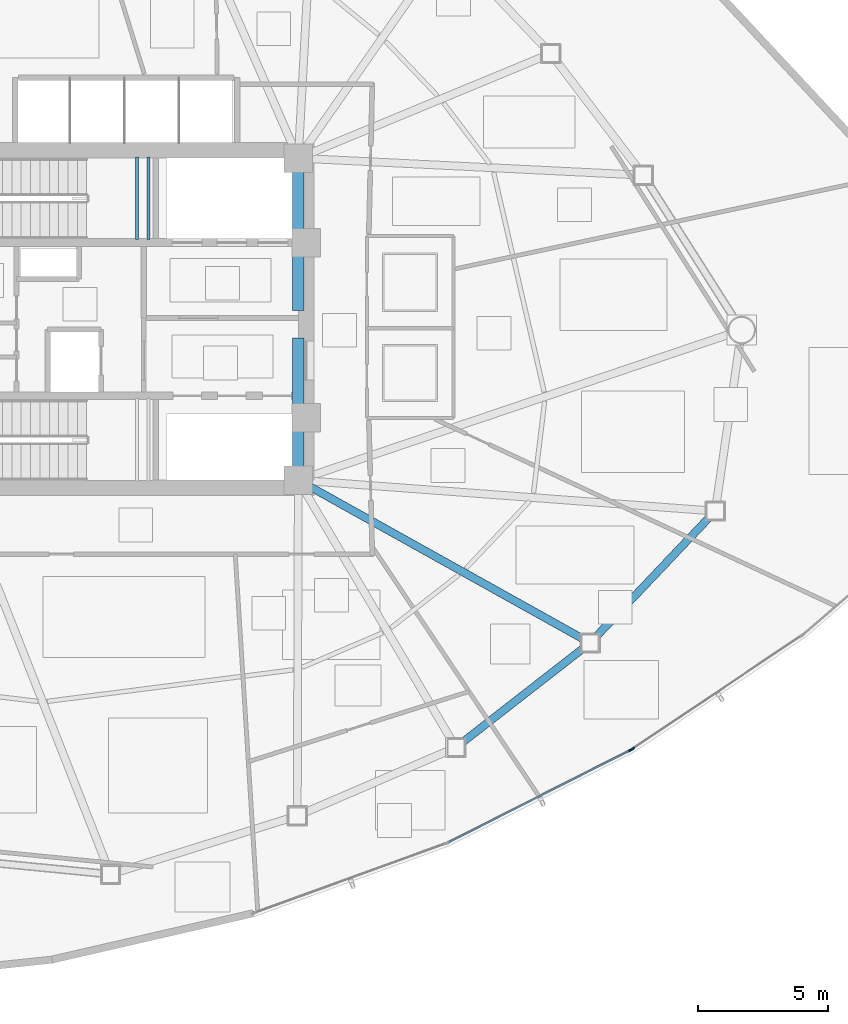
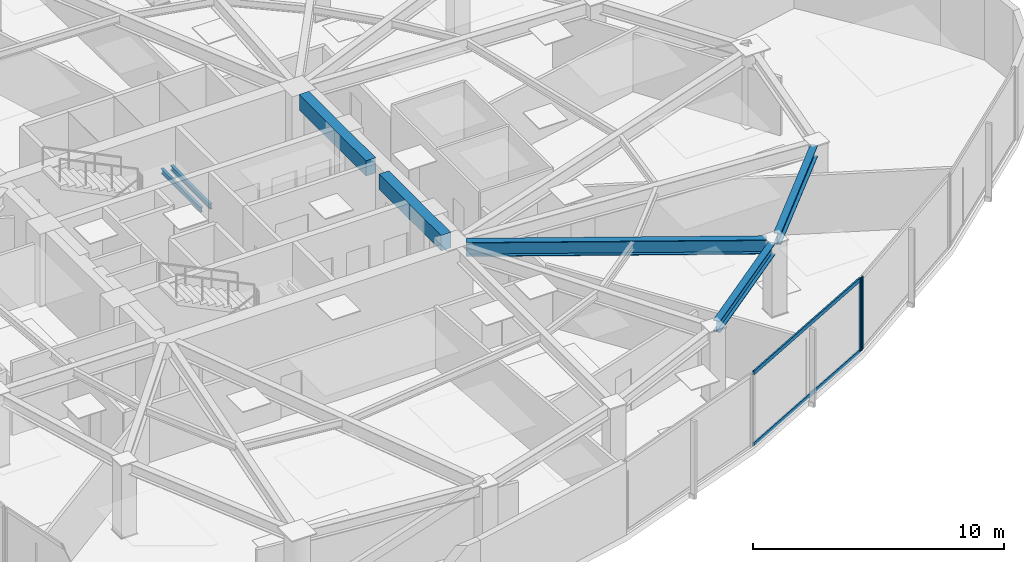
# One storey, part 5 of 17: 7 beams, 4 members, 2 elements without a shape of their own.
"""IFC4 building model written with IfcOpenShell, lengths in metres."""

from ifc_helpers import new_model, si_unit, direction, frame, origin, origin_2d, place, context, subcontext, project, spatial, rectangle, hollow_rectangle, i_section, extrude, source, transform, mapped, material, layer, layer_set, material_profile, profile_set, type_object, type_shapes, element, aggregate, save


model = new_model("IFC4")

# Units and contexts
model_context = context("Model", 3, precision=1e-05, world=origin(), true_north=direction((0.0, 1.0)))
body_context = subcontext(model_context, "Body", "Model", "MODEL_VIEW")
ifc_project = project(units=[si_unit("LENGTHUNIT", "METRE"), si_unit("AREAUNIT", "SQUARE_METRE"), si_unit("VOLUMEUNIT", "CUBIC_METRE"), si_unit("PLANEANGLEUNIT", "RADIAN"), si_unit("MASSUNIT", "GRAM", prefix="KILO")], contexts=[model_context])

# Site, building, storey
site_placement = place(None, origin())
site = spatial("IfcSite", under=ifc_project, at=site_placement, CompositionType="ELEMENT")
building_placement = place(site_placement, origin())
building = spatial("IfcBuilding", under=site, at=building_placement, Name="Tavelor Broadcast Tower", CompositionType="ELEMENT")
storey_placement = place(building_placement, frame((0.0, 0.0, 131.0)))
storey = spatial("IfcBuildingStorey", under=building, at=storey_placement, Name="L30", CompositionType="ELEMENT", Elevation=131.0)

# Beams
ifc_material_1 = material(Name="Concrete C40/50", Category="concrete")
ifc_material_profile_1 = material_profile(ifc_material_1, rectangle(XDim=0.449951171875, YDim=0.75, at=origin_2d()), Name="RC 450x750")
ifc_profile_set_1 = profile_set([ifc_material_profile_1], Name="Concrete C40/50")
beam_type_1 = type_object("IfcBeamType", Name="Basement Core Trim Beam 450x750", PredefinedType="BEAM", material=ifc_profile_set_1)
beam_1_placement = place(storey_placement, frame((56.60009765625, 45.327880859375, 3.175048828125), z_axis=(0.0, 1.0, 0.0), x_axis=(-1.0, 0.0, 0.0)))
element("IfcBeam", 1, at=beam_1_placement, inside=storey, type_object=beam_type_1, Name="L30 Core East-N Tie Girder", PredefinedType="BEAM", context=body_context, shape_type="SweptSolid", body=[
    extrude(rectangle(XDim=0.449951171875, YDim=0.75, at=origin_2d()), origin(), (0.0, 0.0, 1.0), 5.34423828125),
])
beam_2_placement = place(storey_placement, frame((56.60009765625, 39.327880859375, 3.175048828125), z_axis=(0.0, 1.0, 0.0), x_axis=(-1.0, 0.0, 0.0)))
element("IfcBeam", 2, at=beam_2_placement, inside=storey, type_object=beam_type_1, Name="L30 Core East-S Tie Girder", PredefinedType="BEAM", context=body_context, shape_type="SweptSolid", body=[
    extrude(rectangle(XDim=0.449951171875, YDim=0.75, at=origin_2d()), origin(), (0.0, 0.0, 1.0), 4.944091796875),
])
ifc_material_2 = material(Name="Steel S355", Category="steel")
ifc_material_profile_2 = material_profile(ifc_material_2, i_section(OverallWidth=0.300048828125, OverallDepth=0.550048828125, WebThickness=0.014892578125, FlangeThickness=0.029052734375, at=origin_2d()), Name="HEB 550")
ifc_profile_set_2 = profile_set([ifc_material_profile_2], Name="Steel S355")
beam_type_2 = type_object("IfcBeamType", Name="Perimeter Spandrel Beam T3 HEB 550", PredefinedType="SPANDREL", material=ifc_profile_set_2)
beam_3_placement = place(storey_placement, frame((62.934326171875, 28.709716796875, 3.27490234375), z_axis=(0.788970059341, 0.614431644257, 0.0), x_axis=(-0.614431644257, 0.788970059341, 0.0)))
element("IfcBeam", 3, at=beam_3_placement, inside=storey, type_object=beam_type_2, Name="L30 Framed-Tube Ring Spandrel 10", PredefinedType="SPANDREL", context=body_context, shape_type="SweptSolid", body=[
    extrude(i_section(OverallWidth=0.300048828125, OverallDepth=0.550048828125, WebThickness=0.014892578125, FlangeThickness=0.029052734375, at=origin_2d()), origin(), (0.0, 0.0, 1.0), 5.884765625),
])
beam_4_placement = place(storey_placement, frame((68.073486328125, 32.775390625, 3.27490234375), z_axis=(0.688378130541, 0.72535201757, 0.0), x_axis=(-0.72535201757, 0.688378130541, 0.0)))
element("IfcBeam", 4, at=beam_4_placement, inside=storey, type_object=beam_type_2, Name="L30 Framed-Tube Ring Spandrel 11", PredefinedType="SPANDREL", context=body_context, shape_type="SweptSolid", body=[
    extrude(i_section(OverallWidth=0.300048828125, OverallDepth=0.550048828125, WebThickness=0.014892578125, FlangeThickness=0.029052734375, at=origin_2d()), origin(), (0.0, 0.0, 1.0), 6.32568359375),
])
ifc_material_profile_3 = material_profile(ifc_material_2, i_section(OverallWidth=0.300048828125, OverallDepth=0.68994140625, WebThickness=0.014404296875, FlangeThickness=0.027099609375, at=origin_2d()), Name="HEA 700")
ifc_profile_set_3 = profile_set([ifc_material_profile_3], Name="Steel S355")
beam_type_3 = type_object("IfcBeamType", Name="Radial Floor Girder T3 HEA 700", PredefinedType="BEAM", material=ifc_profile_set_3)
beam_5_placement = place(storey_placement, frame((57.061279296875, 38.54296875, 3.205078125), z_axis=(0.873405286678, -0.486994050481, 0.0), x_axis=(0.486994050481, 0.873405286678, 0.0)))
element("IfcBeam", 5, at=beam_5_placement, inside=storey, type_object=beam_type_3, Name="L30 Radial Primary Floor Girder 11", PredefinedType="BEAM", context=body_context, shape_type="SweptSolid", body=[
    extrude(i_section(OverallWidth=0.300048828125, OverallDepth=0.68994140625, WebThickness=0.014404296875, FlangeThickness=0.027099609375, at=origin_2d()), origin(), (0.0, 0.0, 1.0), 12.007568359375),
])
ifc_material_profile_4 = material_profile(ifc_material_2, i_section(OverallWidth=0.1201171875, OverallDepth=0.239990234375, WebThickness=0.006103515625, FlangeThickness=0.009765625, at=origin_2d()), Name="IPE 240")
ifc_profile_set_4 = profile_set([ifc_material_profile_4], Name="Steel S355")
beam_type_4 = type_object("IfcBeamType", Name="Stairwell Landing Support Trimmer Beam IPE240", PredefinedType="BEAM", material=ifc_profile_set_4)
for number, where, z_axis, x_axis, name in (
    (6, (50.385009765625, 48.06005859375, 1.610107421875), (0.0, 1.0, 0.0), (-1.0, 0.0, 0.0), "L30 Stair Landing Support Beam 93"),
    (7, (50.824951171875, 48.06005859375, 1.610107421875), (0.0, 1.0, 0.0), (-1.0, 0.0, 0.0), "L30 Stair Landing Support Beam 94"),
):
    element("IfcBeam", number, at=place(storey_placement, frame(where, z_axis=z_axis, x_axis=x_axis)), inside=storey, type_object=beam_type_4, Name=name, PredefinedType="BEAM", context=body_context, shape_type="SweptSolid", body=[
        extrude(i_section(OverallWidth=0.1201171875, OverallDepth=0.239990234375, WebThickness=0.006103515625, FlangeThickness=0.009765625, at=origin_2d()), origin(), (0.0, 0.0, 1.0), 3.179931640625),
    ])

# Curtain wall, member
ifc_material_3 = material(Name="Architectural Anodized Aluminium", Category="aluminium")
ifc_layer = layer(ifc_material_3, 0.18994140625)
ifc_layer_set = layer_set([ifc_layer], Name="Architectural Anodized Aluminium")
curtain_wall_type = type_object("IfcCurtainWallType", Name="Tower Mid-Zone Acoustic Curtain Wall CW03", PredefinedType="NOTDEFINED", material=ifc_layer_set)
curtain_wall_1_placement = place(storey_placement, origin())
curtain_wall_1 = element("IfcCurtainWall", 8, at=curtain_wall_1_placement, inside=storey, type_object=curtain_wall_type, Name="L30 Curtain Wall CW03 Run 306", PredefinedType="NOTDEFINED")
ifc_material_profile_5 = material_profile(ifc_material_3, hollow_rectangle(XDim=0.068115234375, YDim=0.18994140625, WallThickness=0.02197265625, at=origin_2d()), Name="RHS 68x190x22")
ifc_profile_set_5 = profile_set([ifc_material_profile_5], Name="Architectural Anodized Aluminium")
member_type_1 = type_object("IfcMemberType", Name="CW03 Extruded Aluminium Mullion 68x190", PredefinedType="MULLION", material=ifc_profile_set_5)
shared_shape_1 = source(origin(), body_context, "Body", "SweptSolid", [
    extrude(hollow_rectangle(XDim=0.068115234375, YDim=0.18994140625, WallThickness=0.02197265625, at=origin_2d()), origin(), (0.0, 0.0, 1.0), 3.550048828125),
])
type_shapes(member_type_1, [shared_shape_1])
member_1_placement = place(storey_placement, frame((69.38134765625, 28.39697265625, 0.0), z_axis=(0.0, 0.0, 1.0), x_axis=(-0.452048618536, 0.891993299571, 0.0)))
member_1 = element("IfcMember", 9, at=member_1_placement, type_object=member_type_1, Name="CW03 mullion 2", PredefinedType="MULLION", context=body_context, shape_type="MappedRepresentation", body=[
    mapped(shared_shape_1, transform((0.0, 0.0, 0.0), scale=1.0)),
])

curtain_wall_2_placement = place(storey_placement, origin())
curtain_wall_2 = element("IfcCurtainWall", 10, at=curtain_wall_2_placement, inside=storey, type_object=curtain_wall_type, Name="L30 Curtain Wall CW03 Run 307", PredefinedType="NOTDEFINED")
member_2_placement = place(storey_placement, frame((69.4658203125, 28.4462890625, 0.0), z_axis=(0.0, 0.0, 1.0), x_axis=(-0.556679212729, 0.830727545056, 0.0)))
member_2 = element("IfcMember", 11, at=member_2_placement, type_object=member_type_1, Name="CW03 mullion 1", PredefinedType="MULLION", context=body_context, shape_type="MappedRepresentation", body=[
    mapped(shared_shape_1, transform((0.0, 0.0, 0.0), scale=1.0)),
])
aggregate(curtain_wall_2, [member_2])

# Member
ifc_material_profile_6 = material_profile(ifc_material_3, hollow_rectangle(XDim=0.068115234375, YDim=0.18994140625, WallThickness=0.02197265625, at=origin_2d()), Name="RHS 68x190x22")
ifc_profile_set_6 = profile_set([ifc_material_profile_6], Name="Architectural Anodized Aluminium")
member_type_2 = type_object("IfcMemberType", Name="CW03 Extruded Aluminium Transom 68x190", PredefinedType="USERDEFINED", material=ifc_profile_set_6)
shared_shape_2 = source(origin(), body_context, "Body", "SweptSolid", [
    extrude(hollow_rectangle(XDim=0.068115234375, YDim=0.18994140625, WallThickness=0.02197265625, at=origin_2d()), origin(), (0.0, 0.0, 1.0), 7.787109375),
])
type_shapes(member_type_2, [shared_shape_2])
member_3_placement = place(storey_placement, frame((62.405029296875, 24.861328125, 0.033935546875), z_axis=(0.891987401745, 0.452060256081, 0.0), x_axis=(-0.452060256081, 0.891987401745, 0.0)))
member_3 = element("IfcMember", 12, at=member_3_placement, type_object=member_type_2, Name="CW03 transom 1.1", ObjectType="TRANSOM", PredefinedType="USERDEFINED", context=body_context, shape_type="MappedRepresentation", body=[
    mapped(shared_shape_2, transform((0.0, 0.0, 0.0), scale=1.0)),
])

member_4_placement = place(storey_placement, frame((62.405029296875, 24.861328125, 3.51611328125), z_axis=(0.891987401745, 0.452060256081, 0.0), x_axis=(-0.452060256081, 0.891987401745, 0.0)))
member_4 = element("IfcMember", 13, at=member_4_placement, type_object=member_type_2, Name="CW03 transom 1.2", ObjectType="TRANSOM", PredefinedType="USERDEFINED", context=body_context, shape_type="MappedRepresentation", body=[
    mapped(shared_shape_2, transform((0.0, 0.0, 0.0), scale=1.0)),
])

aggregate(curtain_wall_1, [member_1, member_3, member_4])

save(model, "model.ifc")
